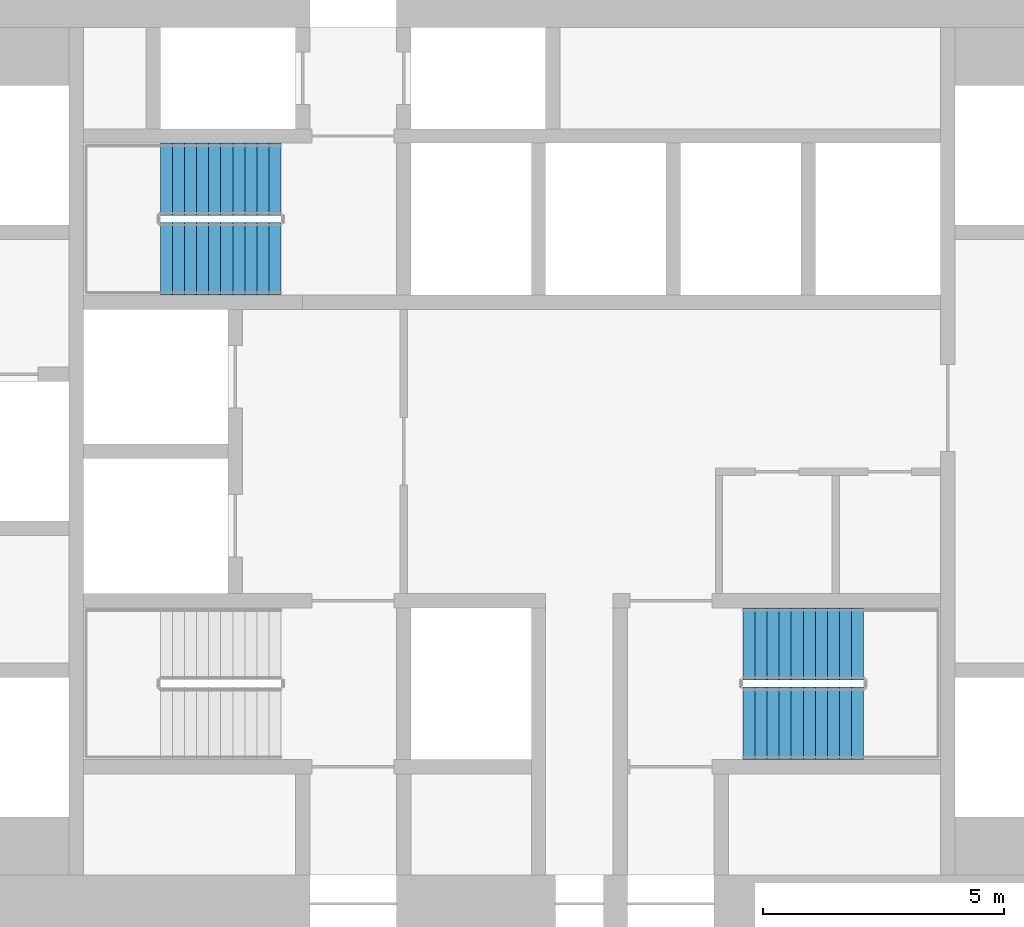
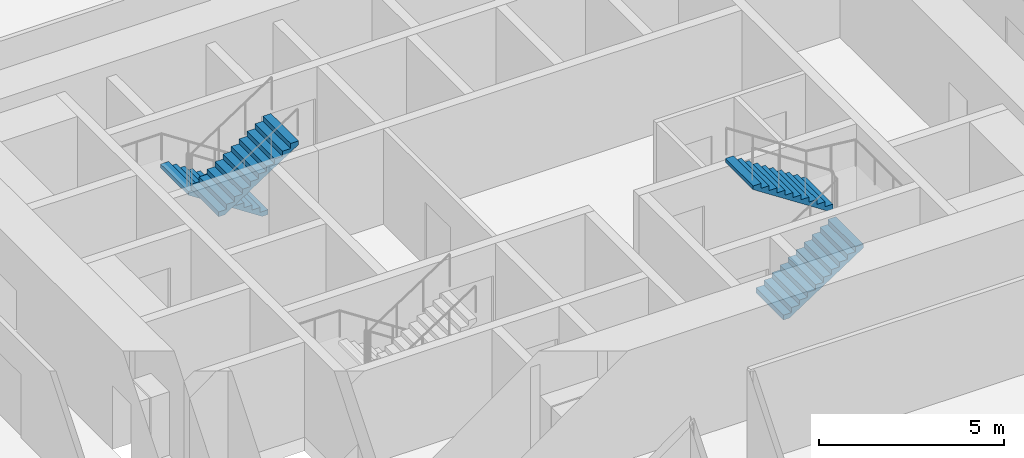
# One storey, part 11 of 12: 4 stair flights, 2 elements without a shape of their own.
"""IFC4 building model written with IfcOpenShell, lengths in metres."""

import ifcopenshell
import ifcopenshell.guid

model = None  # the IFC model being written
_history = None  # IfcOwnerHistory: only IFC2X3 demands one
_inside = {}  # id of a spatial element -> (the spatial element, [elements in it])
_under = {}  # id of a project, library or spatial element -> (it, [spatial elements below it])
_declared = {}  # id of a project -> (the project, [libraries it declares])
_typed = {}  # id of a type object -> (the type object, [elements of that type])
_made_of = {}  # id of a material, layer set ... -> (it, [elements and type objects made of it])


def new_model(schema):
    """Start an empty IFC model of exactly this schema.

    Asked for "IFC4X3", IfcOpenShell would pick the latest addendum, in which some entities
    have other attributes; the version numbers below select the first issue.
    IFC2X3 requires an IfcOwnerHistory on every rooted entity: one is made here for all.
    """
    global model, _history
    if schema == "IFC4X3":
        model = ifcopenshell.file(schema_version=(4, 3, 0, 0))
    else:
        model = ifcopenshell.file(schema=schema)
    _inside.clear()
    _under.clear()
    _declared.clear()
    _typed.clear()
    _made_of.clear()
    _history = None
    if model.schema == "IFC2X3":
        org = make("IfcOrganization", Name="unknown")
        user = make(
            "IfcPersonAndOrganization",
            ThePerson=make("IfcPerson", FamilyName="unknown"),
            TheOrganization=org,
        )
        app = make(
            "IfcApplication",
            ApplicationDeveloper=org,
            Version="unknown",
            ApplicationFullName="unknown",
            ApplicationIdentifier="unknown",
        )
        _history = make(
            "IfcOwnerHistory",
            OwningUser=user,
            OwningApplication=app,
            ChangeAction="ADDED",
            CreationDate=0,
        )
    return model


def make(cls, **values):
    """One entity of the class cls with the attributes given. An attribute that is None is left unset."""
    return model.create_entity(
        cls, **{name: value for name, value in values.items() if value is not None}
    )


def rooted(cls, **values):
    """An entity with a GlobalId (a new one), such as an element, a storey or a relation."""
    return make(cls, GlobalId=ifcopenshell.guid.new(), OwnerHistory=_history, **values)


def si_unit(unit_type, name, prefix=None):
    """IfcSIUnit, for example si_unit("LENGTHUNIT", "METRE", prefix="MILLI")."""
    return make("IfcSIUnit", UnitType=unit_type, Prefix=prefix, Name=name)


def assignment(units):
    """IfcUnitAssignment: the units of a project."""
    return None if units is None else make("IfcUnitAssignment", Units=units)


def point(xyz):
    """IfcCartesianPoint."""
    return None if xyz is None else make("IfcCartesianPoint", Coordinates=xyz)


def direction(xyz):
    """IfcDirection."""
    return None if xyz is None else make("IfcDirection", DirectionRatios=xyz)


def frame(location, z_axis=None, x_axis=None):
    """IfcAxis2Placement3D, a coordinate frame: its origin and axes. An axis left out is left unset."""
    return make(
        "IfcAxis2Placement3D",
        Location=point(location),
        Axis=direction(z_axis),
        RefDirection=direction(x_axis),
    )


def origin():
    """The frame at (0, 0, 0) with its axes left unset."""
    return frame((0.0, 0.0, 0.0))


def place(relative_to, where):
    """IfcLocalPlacement: puts the frame where relative to a parent placement (None: the world)."""
    return make(
        "IfcLocalPlacement", PlacementRelTo=relative_to, RelativePlacement=where
    )


def context(
    kind, dimensions, precision=None, world=None, true_north=None, identifier=None
):
    """IfcGeometricRepresentationContext, for example the 3D "Model" context."""
    return make(
        "IfcGeometricRepresentationContext",
        ContextIdentifier=identifier,
        ContextType=kind,
        CoordinateSpaceDimension=dimensions,
        Precision=precision,
        WorldCoordinateSystem=world,
        TrueNorth=true_north,
    )


def subcontext(parent, identifier, kind, view, scale=None):
    """IfcGeometricRepresentationSubContext, for example "Body" below "Model"."""
    return make(
        "IfcGeometricRepresentationSubContext",
        ContextIdentifier=identifier,
        ContextType=kind,
        ParentContext=parent,
        TargetScale=scale,
        TargetView=view,
    )


def project(units=None, contexts=None):
    """IfcProject with its units and contexts."""
    return rooted(
        "IfcProject",
        Name="project",
        RepresentationContexts=contexts,
        UnitsInContext=assignment(units),
    )


def spatial(cls, under=None, at=None, **own):
    """A site, building, storey or space (cls), placed at a placement, below another one or the project."""
    s = rooted(cls, ObjectPlacement=at, **own)
    if under is not None:
        _under.setdefault(under.id(), (under, []))[1].append(s)
    return s


def polyline(points):
    """IfcPolyline through the points."""
    return make("IfcPolyline", Points=[point(p) for p in points])


def outline(outer, holes=None, kind="AREA"):
    """IfcArbitraryClosedProfileDef: a profile drawn as a closed curve; with holes, ...WithVoids."""
    if holes is None:
        return make("IfcArbitraryClosedProfileDef", ProfileType=kind, OuterCurve=outer)
    return make(
        "IfcArbitraryProfileDefWithVoids",
        ProfileType=kind,
        OuterCurve=outer,
        InnerCurves=holes,
    )


def extrude(swept, where, along, depth):
    """IfcExtrudedAreaSolid: the profile swept, set in the frame where, extruded along a direction by depth."""
    return make(
        "IfcExtrudedAreaSolid",
        SweptArea=swept,
        Position=where,
        ExtrudedDirection=direction(along),
        Depth=depth,
    )


def shape(context_of_items, identifier, shape_type, items):
    """IfcShapeRepresentation: the items that make up one representation, for example the "Body"."""
    return make(
        "IfcShapeRepresentation",
        ContextOfItems=context_of_items,
        RepresentationIdentifier=identifier,
        RepresentationType=shape_type,
        Items=items,
    )


def material(Name=None, Category=None):
    """IfcMaterial."""
    return make("IfcMaterial", Name=Name, Category=Category)


def made_of(thing, what):
    """Note that an element or type object is made of a material, layer set ...; save() writes the relation."""
    if what is not None:
        _made_of.setdefault(what.id(), (what, []))[1].append(thing)
    return thing


def type_object(cls, material=None, **own):
    """A type object (cls), such as IfcWallType, which elements share."""
    return made_of(rooted(cls, **own), material)


def element(
    cls,
    number,
    at=None,
    inside=None,
    cuts=None,
    type_object=None,
    material=None,
    context=None,
    identifier="Body",
    shape_type=None,
    held_by="IfcProductDefinitionShape",
    body=None,
    shapes=None,
    **own,
):
    """One element of the class cls, such as IfcWall. Its Tag is "e" and its number.

    at: its placement. inside: the storey or other place that contains it. cuts: it is an
    opening in that element (IfcRelVoidsElement). A single representation is given by context,
    identifier, shape_type and body (its items); several are given by shapes. held_by: the class
    of the entity that holds the representations. save() writes the other relations.
    """
    e = rooted(cls, Tag="e%d" % number, ObjectPlacement=at, **own)
    if body is not None:
        shapes = [shape(context, identifier, shape_type, body)]
    if shapes is not None:
        e.Representation = make(held_by, Representations=shapes)
    if inside is not None:
        _inside.setdefault(inside.id(), (inside, []))[1].append(e)
    if cuts is not None:
        rooted(
            "IfcRelVoidsElement", RelatingBuildingElement=cuts, RelatedOpeningElement=e
        )
    if type_object is not None:
        _typed.setdefault(type_object.id(), (type_object, []))[1].append(e)
    return made_of(e, material)


def aggregate(whole, parts):
    """IfcRelAggregates: a whole, such as a stair, and the parts it consists of."""
    return rooted("IfcRelAggregates", RelatingObject=whole, RelatedObjects=parts)


def save(model, path):
    """Write the relations noted so far, then the file.

    IfcRelAggregates (storeys below a building ...), IfcRelContainedInSpatialStructure (elements
    in a storey), IfcRelDefinesByType, IfcRelAssociatesMaterial and IfcRelDeclares: one each for
    every whole, place, type object, material and project.
    """
    for whole, parts in _under.values():
        aggregate(whole, parts)
    for where, things in _inside.values():
        rooted(
            "IfcRelContainedInSpatialStructure",
            RelatedElements=things,
            RelatingStructure=where,
        )
    for kind, things in _typed.values():
        rooted("IfcRelDefinesByType", RelatedObjects=things, RelatingType=kind)
    for what, things in _made_of.values():
        rooted("IfcRelAssociatesMaterial", RelatedObjects=things, RelatingMaterial=what)
    for by, libraries in _declared.values():
        rooted("IfcRelDeclares", RelatingContext=by, RelatedDefinitions=libraries)
    model.write(path)


model = new_model("IFC4")

# Units and contexts
model_context = context("Model", 3, precision=1e-05, world=origin(), true_north=direction((0.0, 1.0)))
body_context = subcontext(model_context, "Body", "Model", "MODEL_VIEW")
ifc_project = project(units=[si_unit("LENGTHUNIT", "METRE"), si_unit("AREAUNIT", "SQUARE_METRE"), si_unit("VOLUMEUNIT", "CUBIC_METRE"), si_unit("PLANEANGLEUNIT", "RADIAN"), si_unit("MASSUNIT", "GRAM", prefix="KILO")], contexts=[model_context])

# Site, building, storey
site_placement = place(None, origin())
site = spatial("IfcSite", under=ifc_project, at=site_placement, CompositionType="ELEMENT")
building_placement = place(site_placement, origin())
building = spatial("IfcBuilding", under=site, at=building_placement, Name="Tracery Tower", CompositionType="ELEMENT")
storey_placement = place(building_placement, frame((0.0, 0.0, 53.39990234375)))
storey = spatial("IfcBuildingStorey", under=building, at=storey_placement, Name="L12", CompositionType="ELEMENT", Elevation=53.39990234375)

# Stair, stair flights
ifc_material_1 = material(Name="Concrete C32/40", Category="concrete")
stair_type = type_object("IfcStairType", Name="Core stair 22 risers", PredefinedType="HALF_TURN_STAIR", material=ifc_material_1)
stair_1_placement = place(storey_placement, origin())
stair_1 = element("IfcStair", 1, at=stair_1_placement, inside=storey, type_object=stair_type, Name="L12 stair ST3", PredefinedType="HALF_TURN_STAIR")
ifc_material_2 = material(Name="Concrete C32/40", Category="concrete")
stair_flight_type = type_object("IfcStairFlightType", Name="Core stair flight 11 risers", PredefinedType="STRAIGHT", material=ifc_material_2)
stair_flight_1_placement = place(storey_placement, frame((-4.800048828125, 5.64990234375, 0.0), z_axis=(0.0, 0.0, 1.0), x_axis=(-1.0, 0.0, 0.0)))
stair_flight_1 = element("IfcStairFlight", 2, at=stair_flight_1_placement, type_object=stair_flight_type, Name="ST3 flight 1", NumberOfRisers=11, NumberOfTreads=10, PredefinedType="STRAIGHT", RiserHeight=0.163636364, TreadLength=0.25, context=body_context, shape_type="SweptSolid", body=[
    extrude(outline(polyline([(0.0, 0.0), (0.0, 0.002685546875), (0.0, 0.00537109375), (0.0, 0.008056640625), (0.0, 0.0107421875), (0.0, 0.013427734375), (0.0, 0.01611328125), (0.0, 0.018798828125), (0.0, 0.021484375), (0.0, 0.024169921875), (0.0, 0.02685546875), (0.0, 0.029541015625), (0.0, 0.0322265625), (0.0, 0.034912109375), (0.0, 0.03759765625), (0.0, 0.040283203125), (0.0, 0.04296875), (0.0, 0.045654296875), (0.0, 0.04833984375), (0.0, 0.051025390625), (0.0, 0.0537109375), (0.0, 0.056396484375), (0.0, 0.05908203125), (0.0, 0.061767578125), (0.0, 0.064453125), (0.0, 0.067138671875), (0.0, 0.06982421875), (0.0, 0.072509765625), (0.0, 0.0751953125), (0.0, 0.077880859375), (0.0, 0.08056640625), (0.0, 0.083251953125), (0.0, 0.0859375), (0.0, 0.088623046875), (0.0, 0.09130859375), (0.0, 0.093994140625), (0.0, 0.0966796875), (0.0, 0.099365234375), (0.0, 0.10205078125), (0.0, 0.104736328125), (0.0, 0.107421875), (0.0, 0.10986328125), (0.0, 0.112548828125), (0.0, 0.115234375), (0.0, 0.117919921875), (0.0, 0.12060546875), (0.0, 0.123291015625), (0.0, 0.1259765625), (0.0, 0.128662109375), (0.0, 0.13134765625), (0.0, 0.134033203125), (0.0, 0.13671875), (0.0, 0.139404296875), (0.0, 0.14208984375), (0.0, 0.144775390625), (0.0, 0.1474609375), (0.0, 0.150146484375), (0.0, 0.15283203125), (0.0, 0.155517578125), (0.0, 0.158203125), (0.0, 0.160888671875), (0.0, 0.16357421875), (0.25, 0.16357421875), (0.25, 0.327392578125), (0.5, 0.327392578125), (0.5, 0.490966796875), (0.75, 0.490966796875), (0.75, 0.654541015625), (1.0, 0.654541015625), (1.0, 0.818115234375), (1.25, 0.818115234375), (1.25, 0.98193359375), (1.5, 0.98193359375), (1.5, 1.1455078125), (1.75, 1.1455078125), (1.75, 1.30908203125), (2.0, 1.30908203125), (2.0, 1.47265625), (2.25, 1.47265625), (2.25, 1.636474609375), (2.5, 1.636474609375), (2.5, 1.634521484375), (2.5, 1.63232421875), (2.5, 1.63037109375), (2.5, 1.62841796875), (2.5, 1.62646484375), (2.5, 1.62451171875), (2.5, 1.62255859375), (2.5, 1.62060546875), (2.5, 1.61865234375), (2.5, 1.61669921875), (2.5, 1.61474609375), (2.5, 1.61279296875), (2.5, 1.61083984375), (2.5, 1.60888671875), (2.5, 1.60693359375), (2.5, 1.60498046875), (2.5, 1.60302734375), (2.5, 1.60107421875), (2.5, 1.59912109375), (2.5, 1.59716796875), (2.5, 1.59521484375), (2.5, 1.59326171875), (2.5, 1.59130859375), (2.5, 1.58935546875), (2.5, 1.58740234375), (2.5, 1.58544921875), (2.5, 1.58349609375), (2.5, 1.58154296875), (2.5, 1.57958984375), (2.5, 1.57763671875), (2.5, 1.57568359375), (2.5, 1.573486328125), (2.5, 1.571533203125), (2.5, 1.569580078125), (2.5, 1.567626953125), (2.5, 1.565673828125), (2.5, 1.563720703125), (2.5, 1.561767578125), (2.5, 1.559814453125), (2.5, 1.557861328125), (2.5, 1.555908203125), (2.5, 1.553955078125), (2.5, 1.552001953125), (2.5, 1.550048828125), (2.5, 1.548095703125), (2.5, 1.546142578125), (2.5, 1.544189453125), (2.5, 1.542236328125), (2.5, 1.540283203125), (2.5, 1.538330078125), (2.5, 1.536376953125), (2.5, 1.534423828125), (2.5, 1.532470703125), (2.5, 1.530517578125), (2.5, 1.528564453125), (2.5, 1.526611328125), (2.5, 1.524658203125), (2.5, 1.522705078125), (2.5, 1.520751953125), (2.5, 1.518798828125), (2.5, 1.516845703125), (0.182861328125, 0.0), (0.0, 0.0)])), frame((0.0, 0.75, 0.0), z_axis=(0.0, -1.0, 0.0), x_axis=(1.0, 0.0, 0.0)), (0.0, 0.0, 1.0), 1.5),
])
stair_flight_2_placement = place(storey_placement, frame((-7.300048828125, 4.0, 1.800048828125), z_axis=(0.0, 0.0, 1.0), x_axis=(1.0, 0.0, 0.0)))
stair_flight_2 = element("IfcStairFlight", 3, at=stair_flight_2_placement, type_object=stair_flight_type, Name="ST3 flight 2", NumberOfRisers=11, NumberOfTreads=10, PredefinedType="STRAIGHT", RiserHeight=0.163636364, TreadLength=0.25, context=body_context, shape_type="SweptSolid", body=[
    extrude(outline(polyline([(0.0, 0.0), (0.0, 0.002685546875), (0.0, 0.00537109375), (0.0, 0.008056640625), (0.0, 0.0107421875), (0.0, 0.013427734375), (0.0, 0.01611328125), (0.0, 0.018798828125), (0.0, 0.021484375), (0.0, 0.024169921875), (0.0, 0.02685546875), (0.0, 0.029541015625), (0.0, 0.0322265625), (0.0, 0.034912109375), (0.0, 0.03759765625), (0.0, 0.040283203125), (0.0, 0.04296875), (0.0, 0.045654296875), (0.0, 0.04833984375), (0.0, 0.051025390625), (0.0, 0.0537109375), (0.0, 0.056396484375), (0.0, 0.05908203125), (0.0, 0.061767578125), (0.0, 0.064453125), (0.0, 0.067138671875), (0.0, 0.06982421875), (0.0, 0.072509765625), (0.0, 0.0751953125), (0.0, 0.077880859375), (0.0, 0.08056640625), (0.0, 0.083251953125), (0.0, 0.0859375), (0.0, 0.088623046875), (0.0, 0.09130859375), (0.0, 0.093994140625), (0.0, 0.0966796875), (0.0, 0.099365234375), (0.0, 0.10205078125), (0.0, 0.104736328125), (0.0, 0.107421875), (0.0, 0.10986328125), (0.0, 0.112548828125), (0.0, 0.115234375), (0.0, 0.117919921875), (0.0, 0.12060546875), (0.0, 0.123291015625), (0.0, 0.1259765625), (0.0, 0.128662109375), (0.0, 0.13134765625), (0.0, 0.134033203125), (0.0, 0.13671875), (0.0, 0.139404296875), (0.0, 0.14208984375), (0.0, 0.144775390625), (0.0, 0.1474609375), (0.0, 0.150146484375), (0.0, 0.15283203125), (0.0, 0.155517578125), (0.0, 0.158203125), (0.0, 0.160888671875), (0.0, 0.16357421875), (0.25, 0.16357421875), (0.25, 0.327392578125), (0.5, 0.327392578125), (0.5, 0.490966796875), (0.75, 0.490966796875), (0.75, 0.654541015625), (1.0, 0.654541015625), (1.0, 0.818115234375), (1.25, 0.818115234375), (1.25, 0.98193359375), (1.5, 0.98193359375), (1.5, 1.1455078125), (1.75, 1.1455078125), (1.75, 1.30908203125), (2.0, 1.30908203125), (2.0, 1.47265625), (2.25, 1.47265625), (2.25, 1.636474609375), (2.5, 1.636474609375), (2.5, 1.634521484375), (2.5, 1.63232421875), (2.5, 1.63037109375), (2.5, 1.62841796875), (2.5, 1.62646484375), (2.5, 1.62451171875), (2.5, 1.62255859375), (2.5, 1.62060546875), (2.5, 1.61865234375), (2.5, 1.61669921875), (2.5, 1.61474609375), (2.5, 1.61279296875), (2.5, 1.61083984375), (2.5, 1.60888671875), (2.5, 1.60693359375), (2.5, 1.60498046875), (2.5, 1.60302734375), (2.5, 1.60107421875), (2.5, 1.59912109375), (2.5, 1.59716796875), (2.5, 1.59521484375), (2.5, 1.59326171875), (2.5, 1.59130859375), (2.5, 1.58935546875), (2.5, 1.58740234375), (2.5, 1.58544921875), (2.5, 1.58349609375), (2.5, 1.58154296875), (2.5, 1.57958984375), (2.5, 1.57763671875), (2.5, 1.57568359375), (2.5, 1.573486328125), (2.5, 1.571533203125), (2.5, 1.569580078125), (2.5, 1.567626953125), (2.5, 1.565673828125), (2.5, 1.563720703125), (2.5, 1.561767578125), (2.5, 1.559814453125), (2.5, 1.557861328125), (2.5, 1.555908203125), (2.5, 1.553955078125), (2.5, 1.552001953125), (2.5, 1.550048828125), (2.5, 1.548095703125), (2.5, 1.546142578125), (2.5, 1.544189453125), (2.5, 1.542236328125), (2.5, 1.540283203125), (2.5, 1.538330078125), (2.5, 1.536376953125), (2.5, 1.534423828125), (2.5, 1.532470703125), (2.5, 1.530517578125), (2.5, 1.528564453125), (2.5, 1.526611328125), (2.5, 1.524658203125), (2.5, 1.522705078125), (2.5, 1.520751953125), (2.5, 1.518798828125), (2.5, 1.516845703125), (0.182861328125, 0.0), (0.0, 0.0)])), frame((0.0, 0.75, 0.0), z_axis=(0.0, -1.0, 0.0), x_axis=(1.0, 0.0, 0.0)), (0.0, 0.0, 1.0), 1.5),
])
aggregate(stair_1, [stair_flight_1, stair_flight_2])

stair_2_placement = place(storey_placement, origin())
stair_2 = element("IfcStair", 4, at=stair_2_placement, inside=storey, type_object=stair_type, Name="L12 stair ST2", PredefinedType="HALF_TURN_STAIR")
stair_flight_3_placement = place(storey_placement, frame((4.800048828125, -5.64990234375, 0.0), z_axis=(0.0, 0.0, 1.0), x_axis=(1.0, 0.0, 0.0)))
stair_flight_3 = element("IfcStairFlight", 5, at=stair_flight_3_placement, type_object=stair_flight_type, Name="ST2 flight 1", NumberOfRisers=11, NumberOfTreads=10, PredefinedType="STRAIGHT", RiserHeight=0.163636364, TreadLength=0.25, context=body_context, shape_type="SweptSolid", body=[
    extrude(outline(polyline([(0.0, 0.0), (0.0, 0.002685546875), (0.0, 0.00537109375), (0.0, 0.008056640625), (0.0, 0.0107421875), (0.0, 0.013427734375), (0.0, 0.01611328125), (0.0, 0.018798828125), (0.0, 0.021484375), (0.0, 0.024169921875), (0.0, 0.02685546875), (0.0, 0.029541015625), (0.0, 0.0322265625), (0.0, 0.034912109375), (0.0, 0.03759765625), (0.0, 0.040283203125), (0.0, 0.04296875), (0.0, 0.045654296875), (0.0, 0.04833984375), (0.0, 0.051025390625), (0.0, 0.0537109375), (0.0, 0.056396484375), (0.0, 0.05908203125), (0.0, 0.061767578125), (0.0, 0.064453125), (0.0, 0.067138671875), (0.0, 0.06982421875), (0.0, 0.072509765625), (0.0, 0.0751953125), (0.0, 0.077880859375), (0.0, 0.08056640625), (0.0, 0.083251953125), (0.0, 0.0859375), (0.0, 0.088623046875), (0.0, 0.09130859375), (0.0, 0.093994140625), (0.0, 0.0966796875), (0.0, 0.099365234375), (0.0, 0.10205078125), (0.0, 0.104736328125), (0.0, 0.107421875), (0.0, 0.10986328125), (0.0, 0.112548828125), (0.0, 0.115234375), (0.0, 0.117919921875), (0.0, 0.12060546875), (0.0, 0.123291015625), (0.0, 0.1259765625), (0.0, 0.128662109375), (0.0, 0.13134765625), (0.0, 0.134033203125), (0.0, 0.13671875), (0.0, 0.139404296875), (0.0, 0.14208984375), (0.0, 0.144775390625), (0.0, 0.1474609375), (0.0, 0.150146484375), (0.0, 0.15283203125), (0.0, 0.155517578125), (0.0, 0.158203125), (0.0, 0.160888671875), (0.0, 0.16357421875), (0.25, 0.16357421875), (0.25, 0.327392578125), (0.5, 0.327392578125), (0.5, 0.490966796875), (0.75, 0.490966796875), (0.75, 0.654541015625), (1.0, 0.654541015625), (1.0, 0.818115234375), (1.25, 0.818115234375), (1.25, 0.98193359375), (1.5, 0.98193359375), (1.5, 1.1455078125), (1.75, 1.1455078125), (1.75, 1.30908203125), (2.0, 1.30908203125), (2.0, 1.47265625), (2.25, 1.47265625), (2.25, 1.636474609375), (2.5, 1.636474609375), (2.5, 1.634521484375), (2.5, 1.63232421875), (2.5, 1.63037109375), (2.5, 1.62841796875), (2.5, 1.62646484375), (2.5, 1.62451171875), (2.5, 1.62255859375), (2.5, 1.62060546875), (2.5, 1.61865234375), (2.5, 1.61669921875), (2.5, 1.61474609375), (2.5, 1.61279296875), (2.5, 1.61083984375), (2.5, 1.60888671875), (2.5, 1.60693359375), (2.5, 1.60498046875), (2.5, 1.60302734375), (2.5, 1.60107421875), (2.5, 1.59912109375), (2.5, 1.59716796875), (2.5, 1.59521484375), (2.5, 1.59326171875), (2.5, 1.59130859375), (2.5, 1.58935546875), (2.5, 1.58740234375), (2.5, 1.58544921875), (2.5, 1.58349609375), (2.5, 1.58154296875), (2.5, 1.57958984375), (2.5, 1.57763671875), (2.5, 1.57568359375), (2.5, 1.573486328125), (2.5, 1.571533203125), (2.5, 1.569580078125), (2.5, 1.567626953125), (2.5, 1.565673828125), (2.5, 1.563720703125), (2.5, 1.561767578125), (2.5, 1.559814453125), (2.5, 1.557861328125), (2.5, 1.555908203125), (2.5, 1.553955078125), (2.5, 1.552001953125), (2.5, 1.550048828125), (2.5, 1.548095703125), (2.5, 1.546142578125), (2.5, 1.544189453125), (2.5, 1.542236328125), (2.5, 1.540283203125), (2.5, 1.538330078125), (2.5, 1.536376953125), (2.5, 1.534423828125), (2.5, 1.532470703125), (2.5, 1.530517578125), (2.5, 1.528564453125), (2.5, 1.526611328125), (2.5, 1.524658203125), (2.5, 1.522705078125), (2.5, 1.520751953125), (2.5, 1.518798828125), (2.5, 1.516845703125), (0.182861328125, 0.0), (0.0, 0.0)])), frame((0.0, 0.75, 0.0), z_axis=(0.0, -1.0, 0.0), x_axis=(1.0, 0.0, 0.0)), (0.0, 0.0, 1.0), 1.5),
])
stair_flight_4_placement = place(storey_placement, frame((7.300048828125, -4.0, 1.800048828125), z_axis=(0.0, 0.0, 1.0), x_axis=(-1.0, 0.0, 0.0)))
stair_flight_4 = element("IfcStairFlight", 6, at=stair_flight_4_placement, type_object=stair_flight_type, Name="ST2 flight 2", NumberOfRisers=11, NumberOfTreads=10, PredefinedType="STRAIGHT", RiserHeight=0.163636364, TreadLength=0.25, context=body_context, shape_type="SweptSolid", body=[
    extrude(outline(polyline([(0.0, 0.0), (0.0, 0.002685546875), (0.0, 0.00537109375), (0.0, 0.008056640625), (0.0, 0.0107421875), (0.0, 0.013427734375), (0.0, 0.01611328125), (0.0, 0.018798828125), (0.0, 0.021484375), (0.0, 0.024169921875), (0.0, 0.02685546875), (0.0, 0.029541015625), (0.0, 0.0322265625), (0.0, 0.034912109375), (0.0, 0.03759765625), (0.0, 0.040283203125), (0.0, 0.04296875), (0.0, 0.045654296875), (0.0, 0.04833984375), (0.0, 0.051025390625), (0.0, 0.0537109375), (0.0, 0.056396484375), (0.0, 0.05908203125), (0.0, 0.061767578125), (0.0, 0.064453125), (0.0, 0.067138671875), (0.0, 0.06982421875), (0.0, 0.072509765625), (0.0, 0.0751953125), (0.0, 0.077880859375), (0.0, 0.08056640625), (0.0, 0.083251953125), (0.0, 0.0859375), (0.0, 0.088623046875), (0.0, 0.09130859375), (0.0, 0.093994140625), (0.0, 0.0966796875), (0.0, 0.099365234375), (0.0, 0.10205078125), (0.0, 0.104736328125), (0.0, 0.107421875), (0.0, 0.10986328125), (0.0, 0.112548828125), (0.0, 0.115234375), (0.0, 0.117919921875), (0.0, 0.12060546875), (0.0, 0.123291015625), (0.0, 0.1259765625), (0.0, 0.128662109375), (0.0, 0.13134765625), (0.0, 0.134033203125), (0.0, 0.13671875), (0.0, 0.139404296875), (0.0, 0.14208984375), (0.0, 0.144775390625), (0.0, 0.1474609375), (0.0, 0.150146484375), (0.0, 0.15283203125), (0.0, 0.155517578125), (0.0, 0.158203125), (0.0, 0.160888671875), (0.0, 0.16357421875), (0.25, 0.16357421875), (0.25, 0.327392578125), (0.5, 0.327392578125), (0.5, 0.490966796875), (0.75, 0.490966796875), (0.75, 0.654541015625), (1.0, 0.654541015625), (1.0, 0.818115234375), (1.25, 0.818115234375), (1.25, 0.98193359375), (1.5, 0.98193359375), (1.5, 1.1455078125), (1.75, 1.1455078125), (1.75, 1.30908203125), (2.0, 1.30908203125), (2.0, 1.47265625), (2.25, 1.47265625), (2.25, 1.636474609375), (2.5, 1.636474609375), (2.5, 1.634521484375), (2.5, 1.63232421875), (2.5, 1.63037109375), (2.5, 1.62841796875), (2.5, 1.62646484375), (2.5, 1.62451171875), (2.5, 1.62255859375), (2.5, 1.62060546875), (2.5, 1.61865234375), (2.5, 1.61669921875), (2.5, 1.61474609375), (2.5, 1.61279296875), (2.5, 1.61083984375), (2.5, 1.60888671875), (2.5, 1.60693359375), (2.5, 1.60498046875), (2.5, 1.60302734375), (2.5, 1.60107421875), (2.5, 1.59912109375), (2.5, 1.59716796875), (2.5, 1.59521484375), (2.5, 1.59326171875), (2.5, 1.59130859375), (2.5, 1.58935546875), (2.5, 1.58740234375), (2.5, 1.58544921875), (2.5, 1.58349609375), (2.5, 1.58154296875), (2.5, 1.57958984375), (2.5, 1.57763671875), (2.5, 1.57568359375), (2.5, 1.573486328125), (2.5, 1.571533203125), (2.5, 1.569580078125), (2.5, 1.567626953125), (2.5, 1.565673828125), (2.5, 1.563720703125), (2.5, 1.561767578125), (2.5, 1.559814453125), (2.5, 1.557861328125), (2.5, 1.555908203125), (2.5, 1.553955078125), (2.5, 1.552001953125), (2.5, 1.550048828125), (2.5, 1.548095703125), (2.5, 1.546142578125), (2.5, 1.544189453125), (2.5, 1.542236328125), (2.5, 1.540283203125), (2.5, 1.538330078125), (2.5, 1.536376953125), (2.5, 1.534423828125), (2.5, 1.532470703125), (2.5, 1.530517578125), (2.5, 1.528564453125), (2.5, 1.526611328125), (2.5, 1.524658203125), (2.5, 1.522705078125), (2.5, 1.520751953125), (2.5, 1.518798828125), (2.5, 1.516845703125), (0.182861328125, 0.0), (0.0, 0.0)])), frame((0.0, 0.75, 0.0), z_axis=(0.0, -1.0, 0.0), x_axis=(1.0, 0.0, 0.0)), (0.0, 0.0, 1.0), 1.5),
])
aggregate(stair_2, [stair_flight_3, stair_flight_4])

save(model, "model.ifc")
